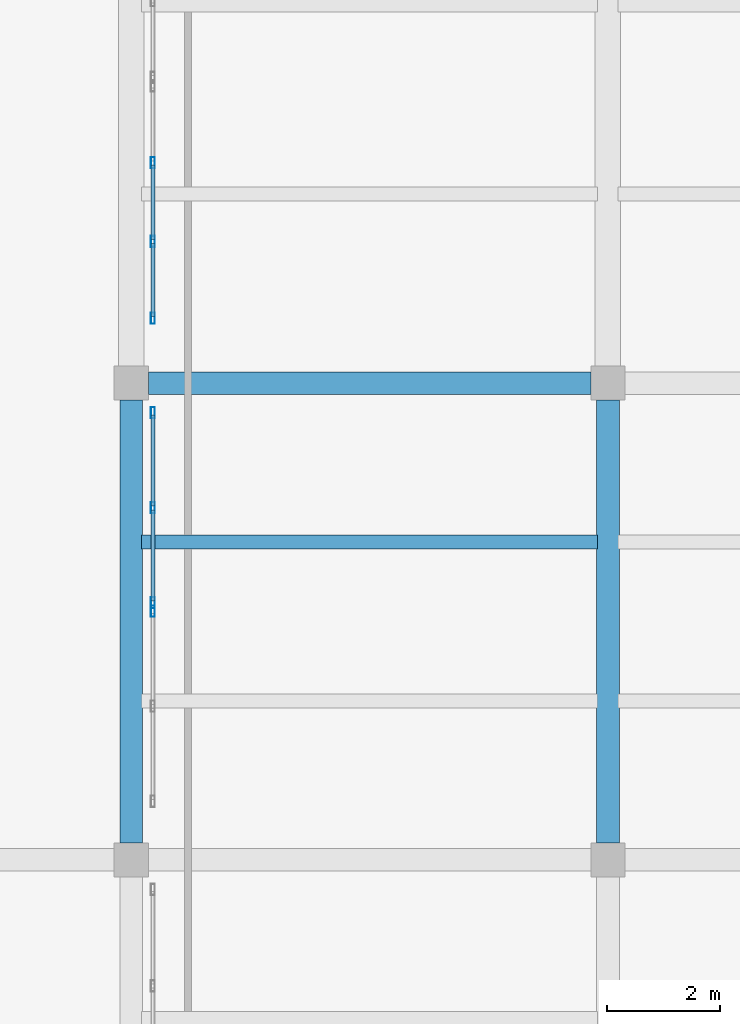
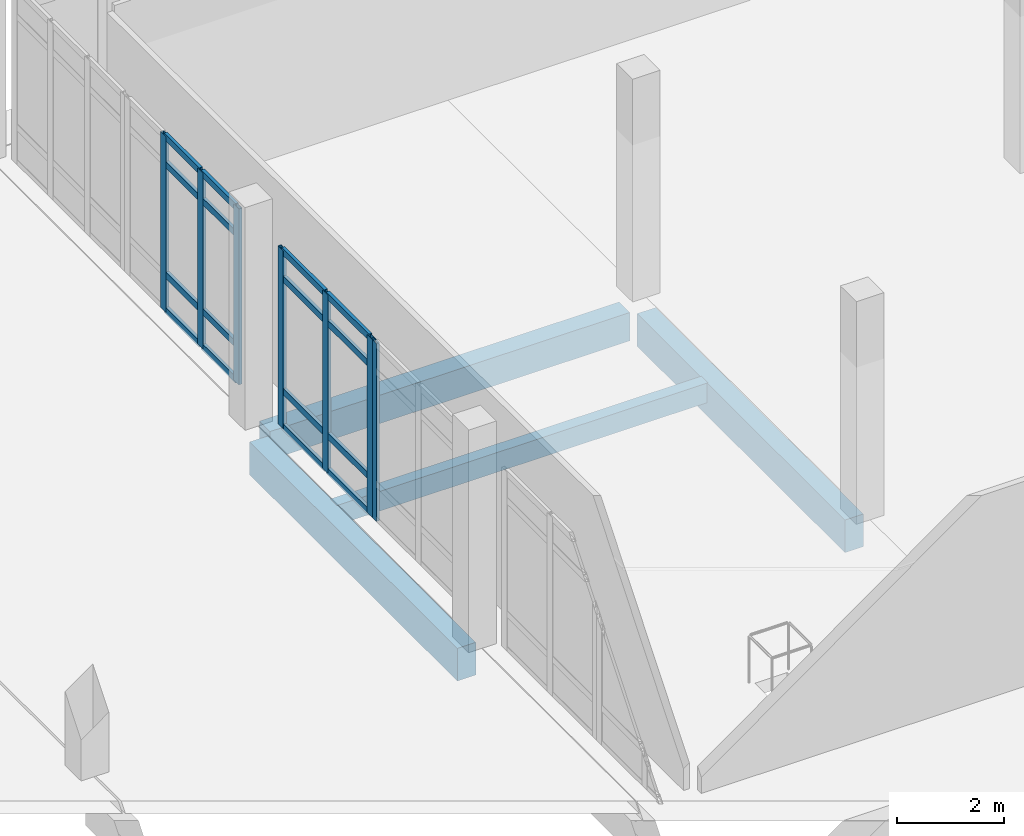
# One storey, part 29 of 64: 23 members, 4 beams, 3 elements without a shape of their own.
"""IFC4 building model written with IfcOpenShell, lengths in metres."""

from ifc_helpers import new_model, si_unit, derived_unit, direction, frame, origin, origin_2d, place, context, subcontext, project, spatial, rectangle, hollow_rectangle, extrude, material, layer, layer_set, material_profile, profile_set, type_object, element, aggregate, save


model = new_model("IFC4")

# Units and contexts
model_context = context("Model", 3, precision=1e-05, world=origin(), true_north=direction((0.0, 1.0)))
body_context = subcontext(model_context, "Body", "Model", "MODEL_VIEW")
ifc_project = project(units=[si_unit("LENGTHUNIT", "METRE"), si_unit("AREAUNIT", "SQUARE_METRE"), si_unit("VOLUMEUNIT", "CUBIC_METRE"), si_unit("PLANEANGLEUNIT", "RADIAN"), si_unit("MASSUNIT", "GRAM", prefix="KILO"), derived_unit("THERMALTRANSMITTANCEUNIT", [(si_unit("POWERUNIT", "WATT"), 1), (si_unit("LENGTHUNIT", "METRE"), -2), (si_unit("THERMODYNAMICTEMPERATUREUNIT", "KELVIN"), -1)])], contexts=[model_context])

# Site, building, storey
site_placement = place(None, origin())
site = spatial("IfcSite", under=ifc_project, at=site_placement, CompositionType="ELEMENT")
building_placement = place(site_placement, origin())
building = spatial("IfcBuilding", under=site, at=building_placement, Name="Elbkamm Science Centre", CompositionType="ELEMENT")
storey_placement = place(building_placement, origin())
storey = spatial("IfcBuildingStorey", under=building, at=storey_placement, Name="L00", CompositionType="ELEMENT", Elevation=0.0)

# Beams
ifc_material_1 = material(Name="Concrete C40/50", Category="concrete")
ifc_material_profile_1 = material_profile(ifc_material_1, rectangle(XDim=0.39990234375, YDim=0.64990234375, at=origin_2d()), Name="RC 400x650")
ifc_profile_set_1 = profile_set([ifc_material_profile_1], Name="Concrete C40/50")
beam_type_1 = type_object("IfcBeamType", Name="BM-RC-400x650", PredefinedType="BEAM", material=ifc_profile_set_1)
beam_1_placement = place(storey_placement, frame((134.699951171875, 100.800048828125, -0.625), z_axis=(1.0, 0.0, 0.0), x_axis=(0.0, 1.0, 0.0)))
element("IfcBeam", 1, at=beam_1_placement, inside=storey, type_object=beam_type_1, Name="L00 Primary X-Girder 089", PredefinedType="BEAM", context=body_context, shape_type="SweptSolid", body=[
    extrude(rectangle(XDim=0.39990234375, YDim=0.64990234375, at=origin_2d()), origin(), (0.0, 0.0, 1.0), 7.800048828125),
])
ifc_material_profile_2 = material_profile(ifc_material_1, rectangle(XDim=0.39990234375, YDim=0.75, at=origin_2d()), Name="RC 400x750")
ifc_profile_set_2 = profile_set([ifc_material_profile_2], Name="Concrete C40/50")
beam_type_2 = type_object("IfcBeamType", Name="BM-RC-400x750", PredefinedType="BEAM", material=ifc_profile_set_2)
for number, where, z_axis, x_axis, name in (
    (2, (134.39990234375, 92.699951171875, -0.675048828125), (0.0, 1.0, 0.0), (-1.0, 0.0, 0.0), "L00 Primary Y-Girder 060"),
    (3, (142.800048828125, 92.699951171875, -0.675048828125), (0.0, 1.0, 0.0), (-1.0, 0.0, 0.0), "L00 Primary Y-Girder 066"),
):
    element("IfcBeam", number, at=place(storey_placement, frame(where, z_axis=z_axis, x_axis=x_axis)), inside=storey, type_object=beam_type_2, Name=name, PredefinedType="BEAM", context=body_context, shape_type="SweptSolid", body=[
        extrude(rectangle(XDim=0.39990234375, YDim=0.75, at=origin_2d()), origin(), (0.0, 0.0, 1.0), 7.800048828125),
    ])

# Curtain wall, member
ifc_material_2 = material(Name="Powder-coated aluminium and triple low-E glazing", Category="aluminium")
ifc_layer_1 = layer(ifc_material_2, 0.159912109375)
ifc_layer_set_1 = layer_set([ifc_layer_1], Name="Powder-coated aluminium and triple low-E glazing")
curtain_wall_type_1 = type_object("IfcCurtainWallType", Name="CW-UNIT-3420x4080", PredefinedType="USERDEFINED", material=ifc_layer_set_1)
curtain_wall_1_placement = place(storey_placement, origin())
curtain_wall_1 = element("IfcCurtainWall", 4, at=curtain_wall_1_placement, inside=storey, type_object=curtain_wall_type_1, Name="L00 Unitised Curtain Wall 104", ObjectType="UNITISED CURTAIN WALL", PredefinedType="USERDEFINED")
ifc_material_3 = material(Name="Powder-coated aluminium EN AW-6060", Category="aluminium")
ifc_material_profile_3 = material_profile(ifc_material_3, hollow_rectangle(XDim=0.070068359375, YDim=0.199951171875, WallThickness=0.00439453125, at=origin_2d()), Name="ALU M70x200")
ifc_profile_set_3 = profile_set([ifc_material_profile_3], Name="Powder-coated aluminium EN AW-6060")
member_type_1 = type_object("IfcMemberType", Name="CW-MUL-70x200", PredefinedType="MULLION", material=ifc_profile_set_3)
member_1_placement = place(storey_placement, frame((134.780029296875, 96.7802734375, 0.0), z_axis=(0.0, 0.0, 1.0), x_axis=(-1.0, 0.0, 0.0)))
member_1 = element("IfcMember", 5, at=member_1_placement, type_object=member_type_1, Name="CW-052 mullion 3", PredefinedType="MULLION", context=body_context, shape_type="SweptSolid", body=[
    extrude(hollow_rectangle(XDim=0.070068359375, YDim=0.199951171875, WallThickness=0.00439453125, at=origin_2d()), origin(), (0.0, 0.0, 1.0), 4.080078125),
])
aggregate(curtain_wall_1, [member_1])

# Curtain wall, members
curtain_wall_2_placement = place(storey_placement, origin())
curtain_wall_2 = element("IfcCurtainWall", 6, at=curtain_wall_2_placement, inside=storey, type_object=curtain_wall_type_1, Name="L00 Unitised Curtain Wall 105", ObjectType="UNITISED CURTAIN WALL", PredefinedType="USERDEFINED")
member_2_placement = place(storey_placement, frame((134.780029296875, 96.93017578125, 0.0), z_axis=(0.0, 0.0, 1.0), x_axis=(-1.0, 0.0, 0.0)))
member_2 = element("IfcMember", 7, at=member_2_placement, type_object=member_type_1, Name="CW-052 mullion 1", PredefinedType="MULLION", context=body_context, shape_type="SweptSolid", body=[
    extrude(hollow_rectangle(XDim=0.070068359375, YDim=0.199951171875, WallThickness=0.00439453125, at=origin_2d()), origin(), (0.0, 0.0, 1.0), 4.080078125),
])
member_3_placement = place(storey_placement, frame((134.780029296875, 98.6044921875, 0.0), z_axis=(0.0, 0.0, 1.0), x_axis=(-1.0, 0.0, 0.0)))
member_3 = element("IfcMember", 8, at=member_3_placement, type_object=member_type_1, Name="CW-052 mullion 2", PredefinedType="MULLION", context=body_context, shape_type="SweptSolid", body=[
    extrude(hollow_rectangle(XDim=0.070068359375, YDim=0.199951171875, WallThickness=0.00439453125, at=origin_2d()), origin(), (0.0, 0.0, 1.0), 4.080078125),
])
member_4_placement = place(storey_placement, frame((134.780029296875, 100.27880859375, 0.0), z_axis=(0.0, 0.0, 1.0), x_axis=(-1.0, 0.0, 0.0)))
member_4 = element("IfcMember", 9, at=member_4_placement, type_object=member_type_1, Name="CW-052 mullion 3", PredefinedType="MULLION", context=body_context, shape_type="SweptSolid", body=[
    extrude(hollow_rectangle(XDim=0.070068359375, YDim=0.199951171875, WallThickness=0.00439453125, at=origin_2d()), origin(), (0.0, 0.0, 1.0), 4.080078125),
])

ifc_layer_2 = layer(ifc_material_2, 0.159912109375)
ifc_layer_set_2 = layer_set([ifc_layer_2], Name="Powder-coated aluminium and triple low-E glazing")
curtain_wall_type_2 = type_object("IfcCurtainWallType", Name="CW-UNIT-4160x4040", PredefinedType="USERDEFINED", material=ifc_layer_set_2)
curtain_wall_3_placement = place(storey_placement, origin())
curtain_wall_3 = element("IfcCurtainWall", 10, at=curtain_wall_3_placement, inside=storey, type_object=curtain_wall_type_2, Name="L00 Unitised Curtain Wall 106", ObjectType="UNITISED CURTAIN WALL", PredefinedType="USERDEFINED")
member_5_placement = place(storey_placement, frame((134.780029296875, 101.943359375, 0.0), z_axis=(0.0, 0.0, 1.0), x_axis=(-1.0, 0.0, 0.0)))
member_5 = element("IfcMember", 11, at=member_5_placement, type_object=member_type_1, Name="CW-053 mullion 1", PredefinedType="MULLION", context=body_context, shape_type="SweptSolid", body=[
    extrude(hollow_rectangle(XDim=0.070068359375, YDim=0.199951171875, WallThickness=0.00439453125, at=origin_2d()), origin(), (0.0, 0.0, 1.0), 4.030029296875),
])
member_6_placement = place(storey_placement, frame((134.780029296875, 103.2958984375, 0.0), z_axis=(0.0, 0.0, 1.0), x_axis=(-1.0, 0.0, 0.0)))
member_6 = element("IfcMember", 12, at=member_6_placement, type_object=member_type_1, Name="CW-053 mullion 2", PredefinedType="MULLION", context=body_context, shape_type="SweptSolid", body=[
    extrude(hollow_rectangle(XDim=0.070068359375, YDim=0.199951171875, WallThickness=0.00439453125, at=origin_2d()), origin(), (0.0, 0.0, 1.0), 4.030029296875),
])
member_7_placement = place(storey_placement, frame((134.780029296875, 104.683349609375, 0.0), z_axis=(0.0, 0.0, 1.0), x_axis=(-1.0, 0.0, 0.0)))
member_7 = element("IfcMember", 13, at=member_7_placement, type_object=member_type_1, Name="CW-053 mullion 3", PredefinedType="MULLION", context=body_context, shape_type="SweptSolid", body=[
    extrude(hollow_rectangle(XDim=0.070068359375, YDim=0.199951171875, WallThickness=0.00439453125, at=origin_2d()), origin(), (0.0, 0.0, 1.0), 4.030029296875),
])

# Member
ifc_material_profile_4 = material_profile(ifc_material_3, hollow_rectangle(XDim=0.070068359375, YDim=0.14990234375, WallThickness=0.00390625, at=origin_2d()), Name="ALU T70x150")
ifc_profile_set_4 = profile_set([ifc_material_profile_4], Name="Powder-coated aluminium EN AW-6060")
member_type_2 = type_object("IfcMemberType", Name="CW-TRN-70x150", PredefinedType="USERDEFINED", material=ifc_profile_set_4)
member_8_placement = place(storey_placement, frame((134.780029296875, 96.965087890625, 0.034912109375), z_axis=(0.0, 1.0, 0.0), x_axis=(-1.0, 0.0, 0.0)))
member_8 = element("IfcMember", 14, at=member_8_placement, type_object=member_type_2, Name="CW-052 transom 1.1", ObjectType="TRANSOM", PredefinedType="USERDEFINED", context=body_context, shape_type="SweptSolid", body=[
    extrude(hollow_rectangle(XDim=0.070068359375, YDim=0.14990234375, WallThickness=0.00390625, at=origin_2d()), origin(), (0.0, 0.0, 1.0), 1.604248046875),
])

member_9_placement = place(storey_placement, frame((134.780029296875, 96.965087890625, 0.85009765625), z_axis=(0.0, 1.0, 0.0), x_axis=(-1.0, 0.0, 0.0)))
member_9 = element("IfcMember", 15, at=member_9_placement, type_object=member_type_2, Name="CW-052 transom 1.2", ObjectType="TRANSOM", PredefinedType="USERDEFINED", context=body_context, shape_type="SweptSolid", body=[
    extrude(hollow_rectangle(XDim=0.070068359375, YDim=0.14990234375, WallThickness=0.00390625, at=origin_2d()), origin(), (0.0, 0.0, 1.0), 1.604248046875),
])

member_10_placement = place(storey_placement, frame((134.780029296875, 96.965087890625, 3.429931640625), z_axis=(0.0, 1.0, 0.0), x_axis=(-1.0, 0.0, 0.0)))
member_10 = element("IfcMember", 16, at=member_10_placement, type_object=member_type_2, Name="CW-052 transom 1.3", ObjectType="TRANSOM", PredefinedType="USERDEFINED", context=body_context, shape_type="SweptSolid", body=[
    extrude(hollow_rectangle(XDim=0.070068359375, YDim=0.14990234375, WallThickness=0.00390625, at=origin_2d()), origin(), (0.0, 0.0, 1.0), 1.604248046875),
])

member_11_placement = place(storey_placement, frame((134.780029296875, 96.965087890625, 4.044921875), z_axis=(0.0, 1.0, 0.0), x_axis=(-1.0, 0.0, 0.0)))
member_11 = element("IfcMember", 17, at=member_11_placement, type_object=member_type_2, Name="CW-052 transom 1.4", ObjectType="TRANSOM", PredefinedType="USERDEFINED", context=body_context, shape_type="SweptSolid", body=[
    extrude(hollow_rectangle(XDim=0.070068359375, YDim=0.14990234375, WallThickness=0.00390625, at=origin_2d()), origin(), (0.0, 0.0, 1.0), 1.604248046875),
])

member_12_placement = place(storey_placement, frame((134.780029296875, 98.639404296875, 0.034912109375), z_axis=(0.0, 1.0, 0.0), x_axis=(-1.0, 0.0, 0.0)))
member_12 = element("IfcMember", 18, at=member_12_placement, type_object=member_type_2, Name="CW-052 transom 2.1", ObjectType="TRANSOM", PredefinedType="USERDEFINED", context=body_context, shape_type="SweptSolid", body=[
    extrude(hollow_rectangle(XDim=0.070068359375, YDim=0.14990234375, WallThickness=0.00390625, at=origin_2d()), origin(), (0.0, 0.0, 1.0), 1.604248046875),
])

member_13_placement = place(storey_placement, frame((134.780029296875, 98.639404296875, 0.85009765625), z_axis=(0.0, 1.0, 0.0), x_axis=(-1.0, 0.0, 0.0)))
member_13 = element("IfcMember", 19, at=member_13_placement, type_object=member_type_2, Name="CW-052 transom 2.2", ObjectType="TRANSOM", PredefinedType="USERDEFINED", context=body_context, shape_type="SweptSolid", body=[
    extrude(hollow_rectangle(XDim=0.070068359375, YDim=0.14990234375, WallThickness=0.00390625, at=origin_2d()), origin(), (0.0, 0.0, 1.0), 1.604248046875),
])

member_14_placement = place(storey_placement, frame((134.780029296875, 98.639404296875, 3.429931640625), z_axis=(0.0, 1.0, 0.0), x_axis=(-1.0, 0.0, 0.0)))
member_14 = element("IfcMember", 20, at=member_14_placement, type_object=member_type_2, Name="CW-052 transom 2.3", ObjectType="TRANSOM", PredefinedType="USERDEFINED", context=body_context, shape_type="SweptSolid", body=[
    extrude(hollow_rectangle(XDim=0.070068359375, YDim=0.14990234375, WallThickness=0.00390625, at=origin_2d()), origin(), (0.0, 0.0, 1.0), 1.604248046875),
])

member_15_placement = place(storey_placement, frame((134.780029296875, 98.639404296875, 4.044921875), z_axis=(0.0, 1.0, 0.0), x_axis=(-1.0, 0.0, 0.0)))
member_15 = element("IfcMember", 21, at=member_15_placement, type_object=member_type_2, Name="CW-052 transom 2.4", ObjectType="TRANSOM", PredefinedType="USERDEFINED", context=body_context, shape_type="SweptSolid", body=[
    extrude(hollow_rectangle(XDim=0.070068359375, YDim=0.14990234375, WallThickness=0.00390625, at=origin_2d()), origin(), (0.0, 0.0, 1.0), 1.604248046875),
])

aggregate(curtain_wall_2, [member_2, member_3, member_4, member_8, member_9, member_10, member_11, member_12, member_13, member_14, member_15])

member_16_placement = place(storey_placement, frame((134.780029296875, 101.978271484375, 0.034912109375), z_axis=(0.0, 1.0, 0.0), x_axis=(-1.0, 0.0, 0.0)))
member_16 = element("IfcMember", 22, at=member_16_placement, type_object=member_type_2, Name="CW-053 transom 1.1", ObjectType="TRANSOM", PredefinedType="USERDEFINED", context=body_context, shape_type="SweptSolid", body=[
    extrude(hollow_rectangle(XDim=0.070068359375, YDim=0.14990234375, WallThickness=0.00390625, at=origin_2d()), origin(), (0.0, 0.0, 1.0), 1.28271484375),
])

member_17_placement = place(storey_placement, frame((134.780029296875, 101.978271484375, 0.85009765625), z_axis=(0.0, 1.0, 0.0), x_axis=(-1.0, 0.0, 0.0)))
member_17 = element("IfcMember", 23, at=member_17_placement, type_object=member_type_2, Name="CW-053 transom 1.2", ObjectType="TRANSOM", PredefinedType="USERDEFINED", context=body_context, shape_type="SweptSolid", body=[
    extrude(hollow_rectangle(XDim=0.070068359375, YDim=0.14990234375, WallThickness=0.00390625, at=origin_2d()), origin(), (0.0, 0.0, 1.0), 1.28271484375),
])

member_18_placement = place(storey_placement, frame((134.780029296875, 101.978271484375, 3.3798828125), z_axis=(0.0, 1.0, 0.0), x_axis=(-1.0, 0.0, 0.0)))
member_18 = element("IfcMember", 24, at=member_18_placement, type_object=member_type_2, Name="CW-053 transom 1.3", ObjectType="TRANSOM", PredefinedType="USERDEFINED", context=body_context, shape_type="SweptSolid", body=[
    extrude(hollow_rectangle(XDim=0.070068359375, YDim=0.14990234375, WallThickness=0.00390625, at=origin_2d()), origin(), (0.0, 0.0, 1.0), 1.28271484375),
])

member_19_placement = place(storey_placement, frame((134.780029296875, 101.978271484375, 3.9951171875), z_axis=(0.0, 1.0, 0.0), x_axis=(-1.0, 0.0, 0.0)))
member_19 = element("IfcMember", 25, at=member_19_placement, type_object=member_type_2, Name="CW-053 transom 1.4", ObjectType="TRANSOM", PredefinedType="USERDEFINED", context=body_context, shape_type="SweptSolid", body=[
    extrude(hollow_rectangle(XDim=0.070068359375, YDim=0.14990234375, WallThickness=0.00390625, at=origin_2d()), origin(), (0.0, 0.0, 1.0), 1.28271484375),
])

member_20_placement = place(storey_placement, frame((134.780029296875, 103.330810546875, 0.034912109375), z_axis=(0.0, 1.0, 0.0), x_axis=(-1.0, 0.0, 0.0)))
member_20 = element("IfcMember", 26, at=member_20_placement, type_object=member_type_2, Name="CW-053 transom 2.1", ObjectType="TRANSOM", PredefinedType="USERDEFINED", context=body_context, shape_type="SweptSolid", body=[
    extrude(hollow_rectangle(XDim=0.070068359375, YDim=0.14990234375, WallThickness=0.00390625, at=origin_2d()), origin(), (0.0, 0.0, 1.0), 1.317626953125),
])

member_21_placement = place(storey_placement, frame((134.780029296875, 103.330810546875, 0.85009765625), z_axis=(0.0, 1.0, 0.0), x_axis=(-1.0, 0.0, 0.0)))
member_21 = element("IfcMember", 27, at=member_21_placement, type_object=member_type_2, Name="CW-053 transom 2.2", ObjectType="TRANSOM", PredefinedType="USERDEFINED", context=body_context, shape_type="SweptSolid", body=[
    extrude(hollow_rectangle(XDim=0.070068359375, YDim=0.14990234375, WallThickness=0.00390625, at=origin_2d()), origin(), (0.0, 0.0, 1.0), 1.317626953125),
])

member_22_placement = place(storey_placement, frame((134.780029296875, 103.330810546875, 3.3798828125), z_axis=(0.0, 1.0, 0.0), x_axis=(-1.0, 0.0, 0.0)))
member_22 = element("IfcMember", 28, at=member_22_placement, type_object=member_type_2, Name="CW-053 transom 2.3", ObjectType="TRANSOM", PredefinedType="USERDEFINED", context=body_context, shape_type="SweptSolid", body=[
    extrude(hollow_rectangle(XDim=0.070068359375, YDim=0.14990234375, WallThickness=0.00390625, at=origin_2d()), origin(), (0.0, 0.0, 1.0), 1.317626953125),
])

member_23_placement = place(storey_placement, frame((134.780029296875, 103.330810546875, 3.9951171875), z_axis=(0.0, 1.0, 0.0), x_axis=(-1.0, 0.0, 0.0)))
member_23 = element("IfcMember", 29, at=member_23_placement, type_object=member_type_2, Name="CW-053 transom 2.4", ObjectType="TRANSOM", PredefinedType="USERDEFINED", context=body_context, shape_type="SweptSolid", body=[
    extrude(hollow_rectangle(XDim=0.070068359375, YDim=0.14990234375, WallThickness=0.00390625, at=origin_2d()), origin(), (0.0, 0.0, 1.0), 1.317626953125),
])

aggregate(curtain_wall_3, [member_5, member_6, member_7, member_16, member_17, member_18, member_19, member_20, member_21, member_22, member_23])

# Beam
ifc_material_profile_5 = material_profile(ifc_material_1, rectangle(XDim=0.25, YDim=0.449951171875, at=origin_2d()), Name="RC 250x450")
ifc_profile_set_5 = profile_set([ifc_material_profile_5], Name="Concrete C40/50")
beam_type_3 = type_object("IfcBeamType", Name="JST-RC-250x450", PredefinedType="JOIST", material=ifc_profile_set_5)
beam_2_placement = place(storey_placement, frame((134.580078125, 98.0, -0.52490234375), z_axis=(1.0, 0.0, 0.0), x_axis=(0.0, 1.0, 0.0)))
element("IfcBeam", 30, at=beam_2_placement, inside=storey, type_object=beam_type_3, Name="L00 Secondary Floor Joist 046", PredefinedType="JOIST", context=body_context, shape_type="SweptSolid", body=[
    extrude(rectangle(XDim=0.25, YDim=0.449951171875, at=origin_2d()), origin(), (0.0, 0.0, 1.0), 8.0400390625),
])

save(model, "model.ifc")
